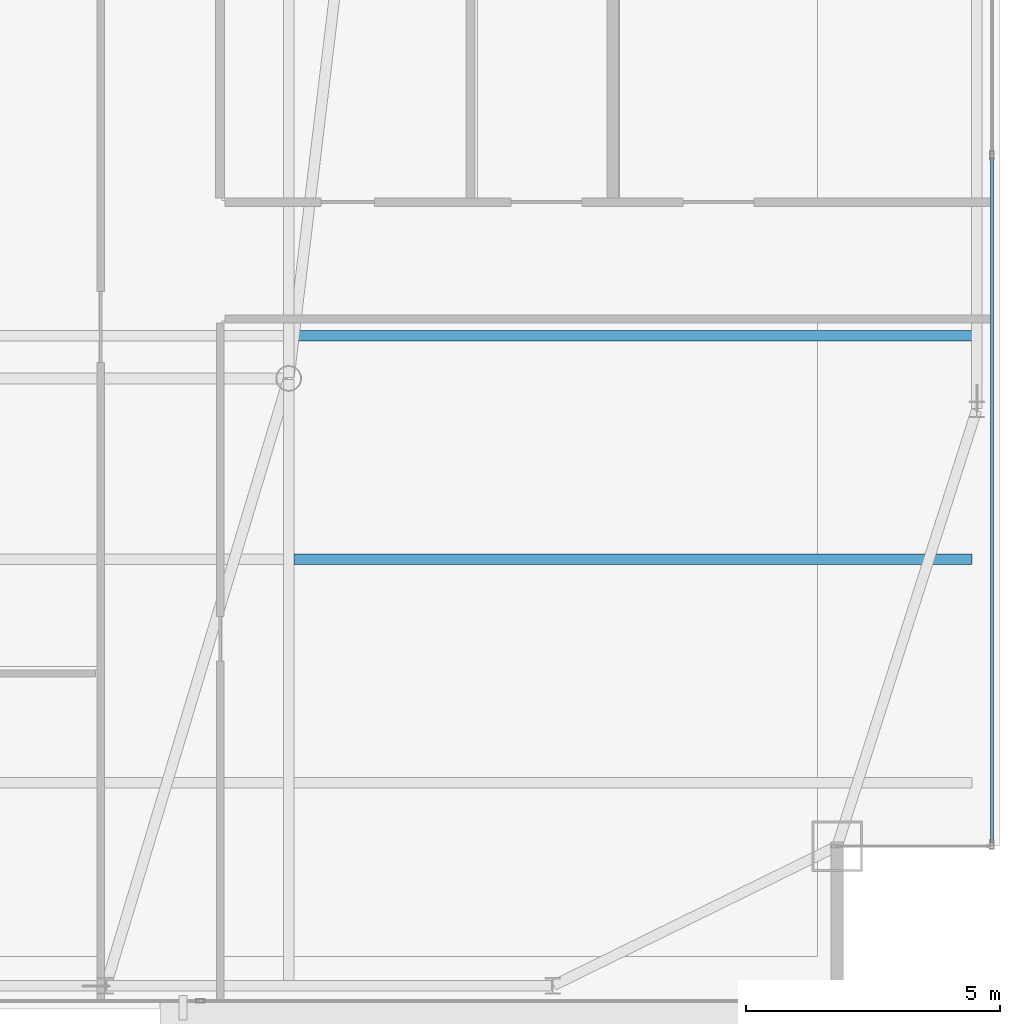
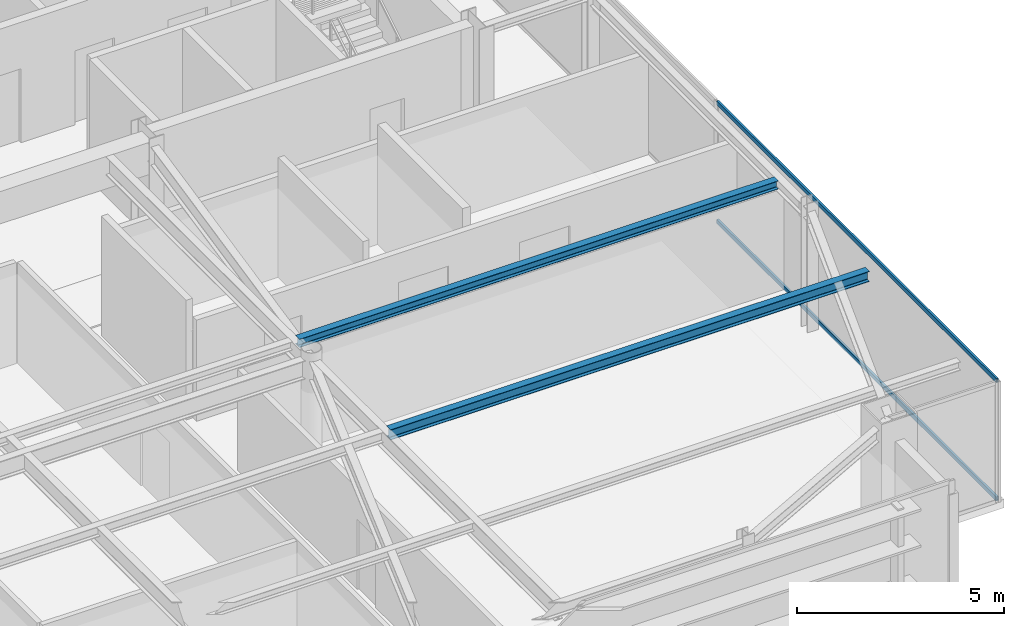
# One storey, part 15 of 24: 2 beams, 2 members, 1 element without a shape of its own.
"""IFC4 building model written with IfcOpenShell, lengths in metres."""

from ifc_helpers import new_model, si_unit, direction, frame, origin, origin_2d, place, context, subcontext, project, spatial, hollow_rectangle, i_section, extrude, source, transform, mapped, material, layer, layer_set, material_profile, profile_set, type_object, type_shapes, element, aggregate, save


model = new_model("IFC4")

# Units and contexts
model_context = context("Model", 3, precision=1e-05, world=origin(), true_north=direction((0.0, 1.0)))
body_context = subcontext(model_context, "Body", "Model", "MODEL_VIEW")
ifc_project = project(units=[si_unit("LENGTHUNIT", "METRE"), si_unit("AREAUNIT", "SQUARE_METRE"), si_unit("VOLUMEUNIT", "CUBIC_METRE"), si_unit("PLANEANGLEUNIT", "RADIAN"), si_unit("MASSUNIT", "GRAM", prefix="KILO")], contexts=[model_context])

# Site, building, storey
site_placement = place(None, origin())
site = spatial("IfcSite", under=ifc_project, at=site_placement, CompositionType="ELEMENT")
building_placement = place(site_placement, origin())
building = spatial("IfcBuilding", under=site, at=building_placement, Name="Varnel Quay Broadcast Tower", CompositionType="ELEMENT")
storey_placement = place(building_placement, frame((0.0, 0.0, 269.800048828125)))
storey = spatial("IfcBuildingStorey", under=building, at=storey_placement, Name="L67", CompositionType="ELEMENT", Elevation=269.800048828125)

# Beams
ifc_material_1 = material(Name="Structural Steel CSA G40.21 350W", Category="steel")
ifc_material_profile_1 = material_profile(ifc_material_1, i_section(OverallWidth=0.201904296875, OverallDepth=0.2470703125, WebThickness=0.00732421875, FlangeThickness=0.010986328125, FilletRadius=0.010986328125, at=origin_2d()), Name="W250X49")
ifc_profile_set_1 = profile_set([ifc_material_profile_1], Name="Structural Steel CSA G40.21 350W")
beam_type_1 = type_object("IfcBeamType", Name="Beam_W250X49", PredefinedType="JOIST", material=ifc_profile_set_1)
shared_shape_1 = source(origin(), body_context, "Body", "SweptSolid", [
    extrude(i_section(OverallWidth=0.201904296875, OverallDepth=0.2470703125, WebThickness=0.00732421875, FlangeThickness=0.010986328125, FilletRadius=0.010986328125, at=origin_2d()), origin(), (0.0, 0.0, 1.0), 13.351318359375),
])
type_shapes(beam_type_1, [shared_shape_1])
beam_1_placement = place(storey_placement, frame((42.10107421875, 26.449951171875, 3.426513671875), z_axis=(1.0, 0.0, 0.0), x_axis=(0.0, 1.0, 0.0)))
element("IfcBeam", 1, at=beam_1_placement, inside=storey, type_object=beam_type_1, Name="L67 East Floor Joist 3", PredefinedType="JOIST", context=body_context, shape_type="MappedRepresentation", body=[
    mapped(shared_shape_1, transform((0.0, 0.0, 0.0), x_axis=(1.0, 0.0, 0.0), y_axis=(0.0, 1.0, 0.0), z_axis=(0.0, 0.0, 1.0), scale=1.0)),
])
ifc_material_profile_2 = material_profile(ifc_material_1, i_section(OverallWidth=0.202880859375, OverallDepth=0.302978515625, WebThickness=0.007568359375, FlangeThickness=0.01318359375, FilletRadius=0.011962890625, at=origin_2d()), Name="W310X60")
ifc_profile_set_2 = profile_set([ifc_material_profile_2], Name="Structural Steel CSA G40.21 350W")
beam_type_2 = type_object("IfcBeamType", Name="Beam_W310X60", PredefinedType="JOIST", material=ifc_profile_set_2)
shared_shape_2 = source(origin(), body_context, "Body", "SweptSolid", [
    extrude(i_section(OverallWidth=0.202880859375, OverallDepth=0.302978515625, WebThickness=0.007568359375, FlangeThickness=0.01318359375, FilletRadius=0.011962890625, at=origin_2d()), origin(), (0.0, 0.0, 1.0), 13.351318359375),
])
type_shapes(beam_type_2, [shared_shape_2])
beam_2_placement = place(storey_placement, frame((42.10107421875, 22.050048828125, 3.3984375), z_axis=(1.0, 0.0, 0.0), x_axis=(0.0, 1.0, 0.0)))
element("IfcBeam", 2, at=beam_2_placement, inside=storey, type_object=beam_type_2, Name="L67 East Floor Joist 2", PredefinedType="JOIST", context=body_context, shape_type="MappedRepresentation", body=[
    mapped(shared_shape_2, transform((0.0, 0.0, 0.0), x_axis=(1.0, 0.0, 0.0), y_axis=(0.0, 1.0, 0.0), z_axis=(0.0, 0.0, 1.0), scale=1.0)),
])

# Curtain wall, members
ifc_material_2 = material(Name="Anodised Bronze Aluminium 6063-T6", Category="aluminium")
ifc_layer = layer(ifc_material_2, 0.18994140625, Name="Anodised Bronze Aluminium 6063-T6")
ifc_layer_set = layer_set([ifc_layer], Name="Anodised Bronze Aluminium 6063-T6")
curtain_wall_type = type_object("IfcCurtainWallType", Name="CW_UpperTower", PredefinedType="NOTDEFINED", material=ifc_layer_set)
curtain_wall_placement = place(storey_placement, origin())
curtain_wall = element("IfcCurtainWall", 3, at=curtain_wall_placement, inside=storey, type_object=curtain_wall_type, Name="L67 East Unitised Curtain Wall", PredefinedType="NOTDEFINED")
ifc_material_profile_3 = material_profile(ifc_material_2, hollow_rectangle(XDim=0.06005859375, YDim=0.125, WallThickness=0.0029296875, at=origin_2d()), Name="ALU60X125X3")
ifc_profile_set_3 = profile_set([ifc_material_profile_3], Name="Anodised Bronze Aluminium 6063-T6")
member_type = type_object("IfcMemberType", Name="Tran_CWS-03", PredefinedType="USERDEFINED", material=ifc_profile_set_3)
shared_shape_3 = source(origin(), body_context, "Body", "SweptSolid", [
    extrude(hollow_rectangle(XDim=0.06005859375, YDim=0.125, WallThickness=0.0029296875, at=origin_2d()), origin(), (0.0, 0.0, 1.0), 13.50244140625),
])
type_shapes(member_type, [shared_shape_3])
member_1_placement = place(storey_placement, frame((55.85009765625, 16.465087890625, 0.030029296875), z_axis=(0.0, 1.0, 0.0), x_axis=(-1.0, 0.0, 0.0)))
member_1 = element("IfcMember", 4, at=member_1_placement, type_object=member_type, Name="CWS-03 transom 1.1", ObjectType="TRANSOM", PredefinedType="USERDEFINED", context=body_context, shape_type="MappedRepresentation", body=[
    mapped(shared_shape_3, transform((0.0, 0.0, 0.0), x_axis=(1.0, 0.0, 0.0), y_axis=(0.0, 1.0, 0.0), z_axis=(0.0, 0.0, 1.0), scale=1.0)),
])
member_2_placement = place(storey_placement, frame((55.85009765625, 16.465087890625, 3.52001953125), z_axis=(0.0, 1.0, 0.0), x_axis=(-1.0, 0.0, 0.0)))
member_2 = element("IfcMember", 5, at=member_2_placement, type_object=member_type, Name="CWS-03 transom 1.2", ObjectType="TRANSOM", PredefinedType="USERDEFINED", context=body_context, shape_type="MappedRepresentation", body=[
    mapped(shared_shape_3, transform((0.0, 0.0, 0.0), x_axis=(1.0, 0.0, 0.0), y_axis=(0.0, 1.0, 0.0), z_axis=(0.0, 0.0, 1.0), scale=1.0)),
])
aggregate(curtain_wall, [member_1, member_2])

save(model, "model.ifc")
